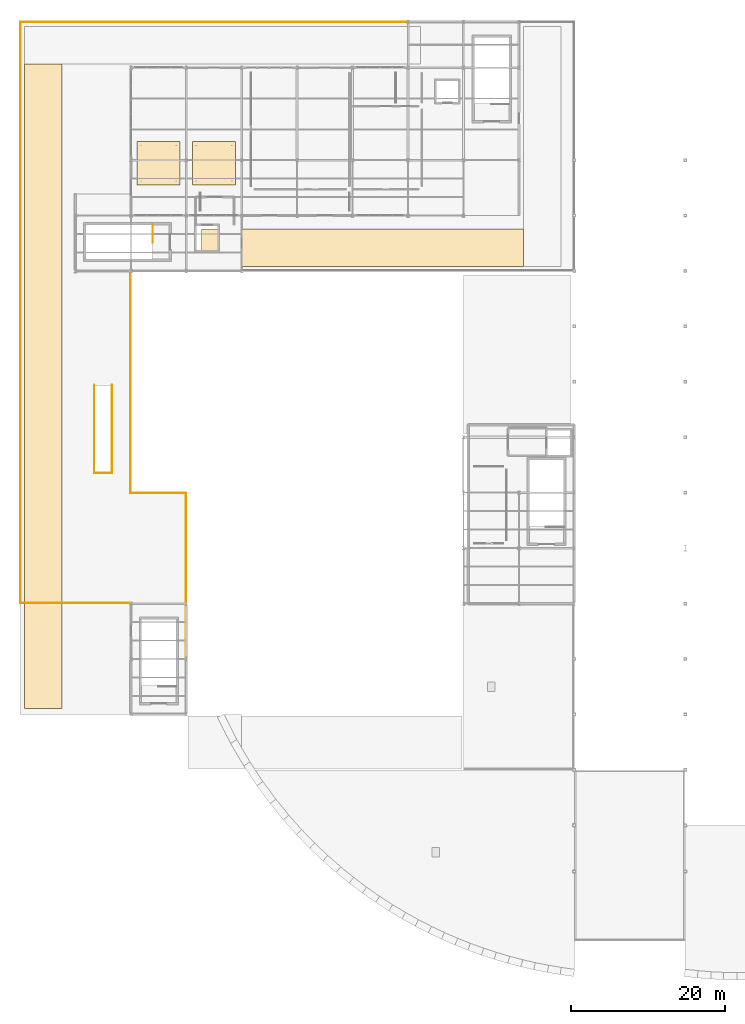
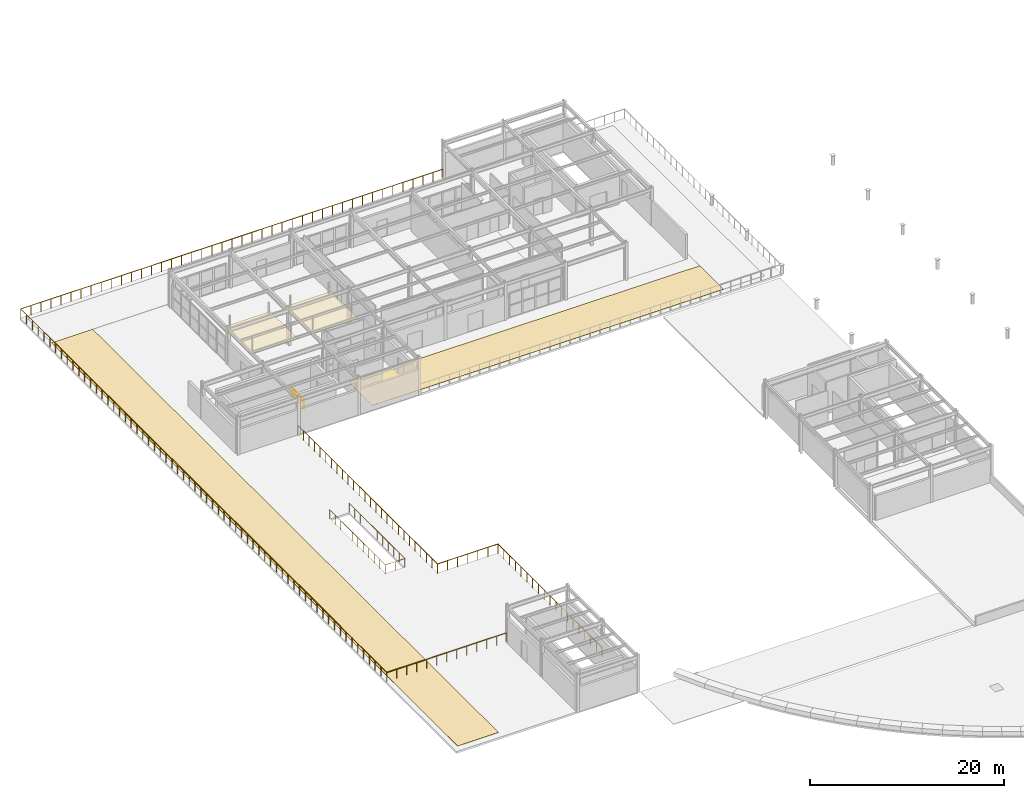
# One storey, part 40 of 41: 4 coverings, 4 railings.
"""IFC4 building model written with IfcOpenShell, lengths in metres."""

from ifc_helpers import new_model, si_unit, direction, frame, origin, origin_2d, place, context, subcontext, project, spatial, polyline, circle, outline, extrude, material, layer, layer_set, type_object, element, save


model = new_model("IFC4")

# Units and contexts
model_context = context("Model", 3, precision=1e-05, world=origin(), true_north=direction((0.0, 1.0)))
body_context = subcontext(model_context, "Body", "Model", "MODEL_VIEW")
ifc_project = project(units=[si_unit("LENGTHUNIT", "METRE"), si_unit("AREAUNIT", "SQUARE_METRE"), si_unit("VOLUMEUNIT", "CUBIC_METRE"), si_unit("PLANEANGLEUNIT", "RADIAN"), si_unit("MASSUNIT", "GRAM", prefix="KILO")], contexts=[model_context])

# Site, building, storey
site_placement = place(None, origin())
site = spatial("IfcSite", under=ifc_project, at=site_placement, CompositionType="ELEMENT")
building_placement = place(site_placement, origin())
building = spatial("IfcBuilding", under=site, at=building_placement, Name="Solvadek Multi-Sports Hall", CompositionType="ELEMENT")
storey_placement = place(building_placement, frame((0.0, 0.0, 14.39990234375)))
storey = spatial("IfcBuildingStorey", under=building, at=storey_placement, Name="L03", CompositionType="ELEMENT", Elevation=14.39990234375)

# Railings
ifc_material_1 = material(Name="Anodised aluminium", Category="aluminium")
railing_type_1 = type_object("IfcRailingType", Name="ENV-RAL-TRK120", PredefinedType="BALUSTRADE", material=ifc_material_1)
railing_1_placement = place(storey_placement, frame((50.340087890625, 110.340087890625, 0.0)))
element("IfcRailing", 1, at=railing_1_placement, inside=storey, type_object=railing_type_1, Name="Rooftop Running Track Perimeter Guard #1", PredefinedType="BALUSTRADE", context=body_context, shape_type="SweptSolid", body=[
    extrude(circle(Radius=0.02392578125, at=origin_2d()), frame((0.0, 0.0, 1.17578125), z_axis=(-1.0, 0.0, 0.0), x_axis=(0.0, -1.0, 0.0)), (0.0, 0.0, 1.0), 50.280029296875),
    extrude(circle(Radius=0.02392578125, at=origin_2d()), frame((-50.280029296875, 0.0, 1.17578125), z_axis=(0.0, -1.0, 0.0), x_axis=(1.0, 0.0, 0.0)), (0.0, 0.0, 1.0), 75.47998046875),
    extrude(circle(Radius=0.02392578125, at=origin_2d()), frame((-50.280029296875, -75.47998046875, 1.17578125), z_axis=(1.0, 0.0, 0.0), x_axis=(0.0, 1.0, 0.0)), (0.0, 0.0, 1.0), 14.280029296875),
    extrude(circle(Radius=0.02099609375, at=origin_2d()), origin(), (0.0, 0.0, 1.0), 1.15185546875),
    extrude(circle(Radius=0.02099609375, at=origin_2d()), frame((-1.197265625, 0.0, 0.0)), (0.0, 0.0, 1.0), 1.15185546875),
    extrude(circle(Radius=0.02099609375, at=origin_2d()), frame((-2.394287109375, 0.0, 0.0)), (0.0, 0.0, 1.0), 1.15185546875),
    extrude(circle(Radius=0.02099609375, at=origin_2d()), frame((-3.59130859375, 0.0, 0.0)), (0.0, 0.0, 1.0), 1.15185546875),
    extrude(circle(Radius=0.02099609375, at=origin_2d()), frame((-4.78857421875, 0.0, 0.0)), (0.0, 0.0, 1.0), 1.15185546875),
    extrude(circle(Radius=0.02099609375, at=origin_2d()), frame((-5.98583984375, 0.0, 0.0)), (0.0, 0.0, 1.0), 1.15185546875),
    extrude(circle(Radius=0.02099609375, at=origin_2d()), frame((-7.182861328125, 0.0, 0.0)), (0.0, 0.0, 1.0), 1.15185546875),
    extrude(circle(Radius=0.02099609375, at=origin_2d()), frame((-8.3798828125, 0.0, 0.0)), (0.0, 0.0, 1.0), 1.15185546875),
    extrude(circle(Radius=0.02099609375, at=origin_2d()), frame((-9.5771484375, 0.0, 0.0)), (0.0, 0.0, 1.0), 1.15185546875),
    extrude(circle(Radius=0.02099609375, at=origin_2d()), frame((-10.7744140625, 0.0, 0.0)), (0.0, 0.0, 1.0), 1.15185546875),
    extrude(circle(Radius=0.02099609375, at=origin_2d()), frame((-11.971435546875, 0.0, 0.0)), (0.0, 0.0, 1.0), 1.15185546875),
    extrude(circle(Radius=0.02099609375, at=origin_2d()), frame((-13.16845703125, 0.0, 0.0)), (0.0, 0.0, 1.0), 1.15185546875),
    extrude(circle(Radius=0.02099609375, at=origin_2d()), frame((-14.36572265625, 0.0, 0.0)), (0.0, 0.0, 1.0), 1.15185546875),
    extrude(circle(Radius=0.02099609375, at=origin_2d()), frame((-15.56298828125, 0.0, 0.0)), (0.0, 0.0, 1.0), 1.15185546875),
    extrude(circle(Radius=0.02099609375, at=origin_2d()), frame((-16.760009765625, 0.0, 0.0)), (0.0, 0.0, 1.0), 1.15185546875),
    extrude(circle(Radius=0.02099609375, at=origin_2d()), frame((-17.95703125, 0.0, 0.0)), (0.0, 0.0, 1.0), 1.15185546875),
    extrude(circle(Radius=0.02099609375, at=origin_2d()), frame((-19.154296875, 0.0, 0.0)), (0.0, 0.0, 1.0), 1.15185546875),
    extrude(circle(Radius=0.02099609375, at=origin_2d()), frame((-20.3515625, 0.0, 0.0)), (0.0, 0.0, 1.0), 1.15185546875),
    extrude(circle(Radius=0.02099609375, at=origin_2d()), frame((-21.548583984375, 0.0, 0.0)), (0.0, 0.0, 1.0), 1.15185546875),
    extrude(circle(Radius=0.02099609375, at=origin_2d()), frame((-22.74560546875, 0.0, 0.0)), (0.0, 0.0, 1.0), 1.15185546875),
    extrude(circle(Radius=0.02099609375, at=origin_2d()), frame((-23.94287109375, 0.0, 0.0)), (0.0, 0.0, 1.0), 1.15185546875),
    extrude(circle(Radius=0.02099609375, at=origin_2d()), frame((-25.14013671875, 0.0, 0.0)), (0.0, 0.0, 1.0), 1.15185546875),
    extrude(circle(Radius=0.02099609375, at=origin_2d()), frame((-26.337158203125, 0.0, 0.0)), (0.0, 0.0, 1.0), 1.15185546875),
    extrude(circle(Radius=0.02099609375, at=origin_2d()), frame((-27.534423828125, 0.0, 0.0)), (0.0, 0.0, 1.0), 1.15185546875),
    extrude(circle(Radius=0.02099609375, at=origin_2d()), frame((-28.7314453125, 0.0, 0.0)), (0.0, 0.0, 1.0), 1.15185546875),
    extrude(circle(Radius=0.02099609375, at=origin_2d()), frame((-29.9287109375, 0.0, 0.0)), (0.0, 0.0, 1.0), 1.15185546875),
    extrude(circle(Radius=0.02099609375, at=origin_2d()), frame((-31.125732421875, 0.0, 0.0)), (0.0, 0.0, 1.0), 1.15185546875),
    extrude(circle(Radius=0.02099609375, at=origin_2d()), frame((-32.32275390625, 0.0, 0.0)), (0.0, 0.0, 1.0), 1.15185546875),
    extrude(circle(Radius=0.02099609375, at=origin_2d()), frame((-33.52001953125, 0.0, 0.0)), (0.0, 0.0, 1.0), 1.15185546875),
    extrude(circle(Radius=0.02099609375, at=origin_2d()), frame((-34.71728515625, 0.0, 0.0)), (0.0, 0.0, 1.0), 1.15185546875),
    extrude(circle(Radius=0.02099609375, at=origin_2d()), frame((-35.914306640625, 0.0, 0.0)), (0.0, 0.0, 1.0), 1.15185546875),
    extrude(circle(Radius=0.02099609375, at=origin_2d()), frame((-37.111328125, 0.0, 0.0)), (0.0, 0.0, 1.0), 1.15185546875),
    extrude(circle(Radius=0.02099609375, at=origin_2d()), frame((-38.30859375, 0.0, 0.0)), (0.0, 0.0, 1.0), 1.15185546875),
    extrude(circle(Radius=0.02099609375, at=origin_2d()), frame((-39.505859375, 0.0, 0.0)), (0.0, 0.0, 1.0), 1.15185546875),
    extrude(circle(Radius=0.02099609375, at=origin_2d()), frame((-40.702880859375, 0.0, 0.0)), (0.0, 0.0, 1.0), 1.15185546875),
    extrude(circle(Radius=0.02099609375, at=origin_2d()), frame((-41.89990234375, 0.0, 0.0)), (0.0, 0.0, 1.0), 1.15185546875),
    extrude(circle(Radius=0.02099609375, at=origin_2d()), frame((-43.09716796875, 0.0, 0.0)), (0.0, 0.0, 1.0), 1.15185546875),
    extrude(circle(Radius=0.02099609375, at=origin_2d()), frame((-44.29443359375, 0.0, 0.0)), (0.0, 0.0, 1.0), 1.15185546875),
    extrude(circle(Radius=0.02099609375, at=origin_2d()), frame((-45.491455078125, 0.0, 0.0)), (0.0, 0.0, 1.0), 1.15185546875),
    extrude(circle(Radius=0.02099609375, at=origin_2d()), frame((-46.6884765625, 0.0, 0.0)), (0.0, 0.0, 1.0), 1.15185546875),
    extrude(circle(Radius=0.02099609375, at=origin_2d()), frame((-47.8857421875, 0.0, 0.0)), (0.0, 0.0, 1.0), 1.15185546875),
    extrude(circle(Radius=0.02099609375, at=origin_2d()), frame((-49.0830078125, 0.0, 0.0)), (0.0, 0.0, 1.0), 1.15185546875),
    extrude(circle(Radius=0.02099609375, at=origin_2d()), frame((-50.280029296875, 0.0, 0.0)), (0.0, 0.0, 1.0), 1.15185546875),
    extrude(circle(Radius=0.02099609375, at=origin_2d()), frame((-50.280029296875, -1.197998046875, 0.0)), (0.0, 0.0, 1.0), 1.15185546875),
    extrude(circle(Radius=0.02099609375, at=origin_2d()), frame((-50.280029296875, -2.396240234375, 0.0)), (0.0, 0.0, 1.0), 1.15185546875),
    extrude(circle(Radius=0.02099609375, at=origin_2d()), frame((-50.280029296875, -3.59423828125, 0.0)), (0.0, 0.0, 1.0), 1.15185546875),
    extrude(circle(Radius=0.02099609375, at=origin_2d()), frame((-50.280029296875, -4.79248046875, 0.0)), (0.0, 0.0, 1.0), 1.15185546875),
    extrude(circle(Radius=0.02099609375, at=origin_2d()), frame((-50.280029296875, -5.990478515625, 0.0)), (0.0, 0.0, 1.0), 1.15185546875),
    extrude(circle(Radius=0.02099609375, at=origin_2d()), frame((-50.280029296875, -7.1884765625, 0.0)), (0.0, 0.0, 1.0), 1.15185546875),
    extrude(circle(Radius=0.02099609375, at=origin_2d()), frame((-50.280029296875, -8.38671875, 0.0)), (0.0, 0.0, 1.0), 1.15185546875),
    extrude(circle(Radius=0.02099609375, at=origin_2d()), frame((-50.280029296875, -9.584716796875, 0.0)), (0.0, 0.0, 1.0), 1.15185546875),
    extrude(circle(Radius=0.02099609375, at=origin_2d()), frame((-50.280029296875, -10.782958984375, 0.0)), (0.0, 0.0, 1.0), 1.15185546875),
    extrude(circle(Radius=0.02099609375, at=origin_2d()), frame((-50.280029296875, -11.98095703125, 0.0)), (0.0, 0.0, 1.0), 1.15185546875),
    extrude(circle(Radius=0.02099609375, at=origin_2d()), frame((-50.280029296875, -13.178955078125, 0.0)), (0.0, 0.0, 1.0), 1.15185546875),
    extrude(circle(Radius=0.02099609375, at=origin_2d()), frame((-50.280029296875, -14.377197265625, 0.0)), (0.0, 0.0, 1.0), 1.15185546875),
    extrude(circle(Radius=0.02099609375, at=origin_2d()), frame((-50.280029296875, -15.5751953125, 0.0)), (0.0, 0.0, 1.0), 1.15185546875),
    extrude(circle(Radius=0.02099609375, at=origin_2d()), frame((-50.280029296875, -16.7734375, 0.0)), (0.0, 0.0, 1.0), 1.15185546875),
    extrude(circle(Radius=0.02099609375, at=origin_2d()), frame((-50.280029296875, -17.971435546875, 0.0)), (0.0, 0.0, 1.0), 1.15185546875),
    extrude(circle(Radius=0.02099609375, at=origin_2d()), frame((-50.280029296875, -19.16943359375, 0.0)), (0.0, 0.0, 1.0), 1.15185546875),
    extrude(circle(Radius=0.02099609375, at=origin_2d()), frame((-50.280029296875, -20.36767578125, 0.0)), (0.0, 0.0, 1.0), 1.15185546875),
    extrude(circle(Radius=0.02099609375, at=origin_2d()), frame((-50.280029296875, -21.565673828125, 0.0)), (0.0, 0.0, 1.0), 1.15185546875),
    extrude(circle(Radius=0.02099609375, at=origin_2d()), frame((-50.280029296875, -22.763916015625, 0.0)), (0.0, 0.0, 1.0), 1.15185546875),
    extrude(circle(Radius=0.02099609375, at=origin_2d()), frame((-50.280029296875, -23.9619140625, 0.0)), (0.0, 0.0, 1.0), 1.15185546875),
    extrude(circle(Radius=0.02099609375, at=origin_2d()), frame((-50.280029296875, -25.159912109375, 0.0)), (0.0, 0.0, 1.0), 1.15185546875),
    extrude(circle(Radius=0.02099609375, at=origin_2d()), frame((-50.280029296875, -26.358154296875, 0.0)), (0.0, 0.0, 1.0), 1.15185546875),
    extrude(circle(Radius=0.02099609375, at=origin_2d()), frame((-50.280029296875, -27.55615234375, 0.0)), (0.0, 0.0, 1.0), 1.15185546875),
    extrude(circle(Radius=0.02099609375, at=origin_2d()), frame((-50.280029296875, -28.75439453125, 0.0)), (0.0, 0.0, 1.0), 1.15185546875),
    extrude(circle(Radius=0.02099609375, at=origin_2d()), frame((-50.280029296875, -29.952392578125, 0.0)), (0.0, 0.0, 1.0), 1.15185546875),
    extrude(circle(Radius=0.02099609375, at=origin_2d()), frame((-50.280029296875, -31.150390625, 0.0)), (0.0, 0.0, 1.0), 1.15185546875),
    extrude(circle(Radius=0.02099609375, at=origin_2d()), frame((-50.280029296875, -32.3486328125, 0.0)), (0.0, 0.0, 1.0), 1.15185546875),
    extrude(circle(Radius=0.02099609375, at=origin_2d()), frame((-50.280029296875, -33.546630859375, 0.0)), (0.0, 0.0, 1.0), 1.15185546875),
    extrude(circle(Radius=0.02099609375, at=origin_2d()), frame((-50.280029296875, -34.744873046875, 0.0)), (0.0, 0.0, 1.0), 1.15185546875),
    extrude(circle(Radius=0.02099609375, at=origin_2d()), frame((-50.280029296875, -35.94287109375, 0.0)), (0.0, 0.0, 1.0), 1.15185546875),
    extrude(circle(Radius=0.02099609375, at=origin_2d()), frame((-50.280029296875, -37.140869140625, 0.0)), (0.0, 0.0, 1.0), 1.15185546875),
    extrude(circle(Radius=0.02099609375, at=origin_2d()), frame((-50.280029296875, -38.339111328125, 0.0)), (0.0, 0.0, 1.0), 1.15185546875),
    extrude(circle(Radius=0.02099609375, at=origin_2d()), frame((-50.280029296875, -39.537109375, 0.0)), (0.0, 0.0, 1.0), 1.15185546875),
    extrude(circle(Radius=0.02099609375, at=origin_2d()), frame((-50.280029296875, -40.735107421875, 0.0)), (0.0, 0.0, 1.0), 1.15185546875),
    extrude(circle(Radius=0.02099609375, at=origin_2d()), frame((-50.280029296875, -41.933349609375, 0.0)), (0.0, 0.0, 1.0), 1.15185546875),
    extrude(circle(Radius=0.02099609375, at=origin_2d()), frame((-50.280029296875, -43.13134765625, 0.0)), (0.0, 0.0, 1.0), 1.15185546875),
    extrude(circle(Radius=0.02099609375, at=origin_2d()), frame((-50.280029296875, -44.32958984375, 0.0)), (0.0, 0.0, 1.0), 1.15185546875),
    extrude(circle(Radius=0.02099609375, at=origin_2d()), frame((-50.280029296875, -45.527587890625, 0.0)), (0.0, 0.0, 1.0), 1.15185546875),
    extrude(circle(Radius=0.02099609375, at=origin_2d()), frame((-50.280029296875, -46.7255859375, 0.0)), (0.0, 0.0, 1.0), 1.15185546875),
    extrude(circle(Radius=0.02099609375, at=origin_2d()), frame((-50.280029296875, -47.923828125, 0.0)), (0.0, 0.0, 1.0), 1.15185546875),
    extrude(circle(Radius=0.02099609375, at=origin_2d()), frame((-50.280029296875, -49.121826171875, 0.0)), (0.0, 0.0, 1.0), 1.15185546875),
    extrude(circle(Radius=0.02099609375, at=origin_2d()), frame((-50.280029296875, -50.320068359375, 0.0)), (0.0, 0.0, 1.0), 1.15185546875),
    extrude(circle(Radius=0.02099609375, at=origin_2d()), frame((-50.280029296875, -51.51806640625, 0.0)), (0.0, 0.0, 1.0), 1.15185546875),
    extrude(circle(Radius=0.02099609375, at=origin_2d()), frame((-50.280029296875, -52.716064453125, 0.0)), (0.0, 0.0, 1.0), 1.15185546875),
    extrude(circle(Radius=0.02099609375, at=origin_2d()), frame((-50.280029296875, -53.914306640625, 0.0)), (0.0, 0.0, 1.0), 1.15185546875),
    extrude(circle(Radius=0.02099609375, at=origin_2d()), frame((-50.280029296875, -55.1123046875, 0.0)), (0.0, 0.0, 1.0), 1.15185546875),
    extrude(circle(Radius=0.02099609375, at=origin_2d()), frame((-50.280029296875, -56.310546875, 0.0)), (0.0, 0.0, 1.0), 1.15185546875),
    extrude(circle(Radius=0.02099609375, at=origin_2d()), frame((-50.280029296875, -57.508544921875, 0.0)), (0.0, 0.0, 1.0), 1.15185546875),
    extrude(circle(Radius=0.02099609375, at=origin_2d()), frame((-50.280029296875, -58.70654296875, 0.0)), (0.0, 0.0, 1.0), 1.15185546875),
    extrude(circle(Radius=0.02099609375, at=origin_2d()), frame((-50.280029296875, -59.90478515625, 0.0)), (0.0, 0.0, 1.0), 1.15185546875),
    extrude(circle(Radius=0.02099609375, at=origin_2d()), frame((-50.280029296875, -61.102783203125, 0.0)), (0.0, 0.0, 1.0), 1.15185546875),
    extrude(circle(Radius=0.02099609375, at=origin_2d()), frame((-50.280029296875, -62.301025390625, 0.0)), (0.0, 0.0, 1.0), 1.15185546875),
    extrude(circle(Radius=0.02099609375, at=origin_2d()), frame((-50.280029296875, -63.4990234375, 0.0)), (0.0, 0.0, 1.0), 1.15185546875),
    extrude(circle(Radius=0.02099609375, at=origin_2d()), frame((-50.280029296875, -64.697021484375, 0.0)), (0.0, 0.0, 1.0), 1.15185546875),
    extrude(circle(Radius=0.02099609375, at=origin_2d()), frame((-50.280029296875, -65.895263671875, 0.0)), (0.0, 0.0, 1.0), 1.15185546875),
    extrude(circle(Radius=0.02099609375, at=origin_2d()), frame((-50.280029296875, -67.09326171875, 0.0)), (0.0, 0.0, 1.0), 1.15185546875),
    extrude(circle(Radius=0.02099609375, at=origin_2d()), frame((-50.280029296875, -68.29150390625, 0.0)), (0.0, 0.0, 1.0), 1.15185546875),
    extrude(circle(Radius=0.02099609375, at=origin_2d()), frame((-50.280029296875, -69.489501953125, 0.0)), (0.0, 0.0, 1.0), 1.15185546875),
    extrude(circle(Radius=0.02099609375, at=origin_2d()), frame((-50.280029296875, -70.6875, 0.0)), (0.0, 0.0, 1.0), 1.15185546875),
    extrude(circle(Radius=0.02099609375, at=origin_2d()), frame((-50.280029296875, -71.8857421875, 0.0)), (0.0, 0.0, 1.0), 1.15185546875),
    extrude(circle(Radius=0.02099609375, at=origin_2d()), frame((-50.280029296875, -73.083740234375, 0.0)), (0.0, 0.0, 1.0), 1.15185546875),
    extrude(circle(Radius=0.02099609375, at=origin_2d()), frame((-50.280029296875, -74.281982421875, 0.0)), (0.0, 0.0, 1.0), 1.15185546875),
    extrude(circle(Radius=0.02099609375, at=origin_2d()), frame((-50.280029296875, -75.47998046875, 0.0)), (0.0, 0.0, 1.0), 1.15185546875),
    extrude(circle(Radius=0.02099609375, at=origin_2d()), frame((-49.090087890625, -75.47998046875, 0.0)), (0.0, 0.0, 1.0), 1.15185546875),
    extrude(circle(Radius=0.02099609375, at=origin_2d()), frame((-47.89990234375, -75.47998046875, 0.0)), (0.0, 0.0, 1.0), 1.15185546875),
    extrude(circle(Radius=0.02099609375, at=origin_2d()), frame((-46.7099609375, -75.47998046875, 0.0)), (0.0, 0.0, 1.0), 1.15185546875),
    extrude(circle(Radius=0.02099609375, at=origin_2d()), frame((-45.52001953125, -75.47998046875, 0.0)), (0.0, 0.0, 1.0), 1.15185546875),
    extrude(circle(Radius=0.02099609375, at=origin_2d()), frame((-44.330078125, -75.47998046875, 0.0)), (0.0, 0.0, 1.0), 1.15185546875),
    extrude(circle(Radius=0.02099609375, at=origin_2d()), frame((-43.14013671875, -75.47998046875, 0.0)), (0.0, 0.0, 1.0), 1.15185546875),
    extrude(circle(Radius=0.02099609375, at=origin_2d()), frame((-41.949951171875, -75.47998046875, 0.0)), (0.0, 0.0, 1.0), 1.15185546875),
    extrude(circle(Radius=0.02099609375, at=origin_2d()), frame((-40.760009765625, -75.47998046875, 0.0)), (0.0, 0.0, 1.0), 1.15185546875),
    extrude(circle(Radius=0.02099609375, at=origin_2d()), frame((-39.570068359375, -75.47998046875, 0.0)), (0.0, 0.0, 1.0), 1.15185546875),
    extrude(circle(Radius=0.02099609375, at=origin_2d()), frame((-38.3798828125, -75.47998046875, 0.0)), (0.0, 0.0, 1.0), 1.15185546875),
    extrude(circle(Radius=0.02099609375, at=origin_2d()), frame((-37.18994140625, -75.47998046875, 0.0)), (0.0, 0.0, 1.0), 1.15185546875),
    extrude(circle(Radius=0.02099609375, at=origin_2d()), frame((-36.0, -75.47998046875, 0.0)), (0.0, 0.0, 1.0), 1.15185546875),
])
railing_2_placement = place(storey_placement, frame((21.5400390625, 27.659912109375, 0.0)))
element("IfcRailing", 2, at=railing_2_placement, inside=storey, type_object=railing_type_1, Name="Rooftop Running Track Perimeter Guard #3", PredefinedType="BALUSTRADE", context=body_context, shape_type="SweptSolid", body=[
    extrude(circle(Radius=0.02392578125, at=origin_2d()), frame((0.0, 0.0, 1.17578125), z_axis=(0.0, 1.0, 0.0), x_axis=(-1.0, 0.0, 0.0)), (0.0, 0.0, 1.0), 21.47998046875),
    extrude(circle(Radius=0.02392578125, at=origin_2d()), frame((0.0, 21.47998046875, 1.17578125), z_axis=(-1.0, 0.0, 0.0), x_axis=(0.0, -1.0, 0.0)), (0.0, 0.0, 1.0), 7.199951171875),
    extrude(circle(Radius=0.02392578125, at=origin_2d()), frame((-7.199951171875, 21.47998046875, 1.17578125), z_axis=(0.0, 1.0, 0.0), x_axis=(-1.0, 0.0, 0.0)), (0.0, 0.0, 1.0), 28.800048828125),
    extrude(circle(Radius=0.02099609375, at=origin_2d()), origin(), (0.0, 0.0, 1.0), 1.15185546875),
    extrude(circle(Radius=0.02099609375, at=origin_2d()), frame((0.0, 1.193359375, 0.0)), (0.0, 0.0, 1.0), 1.15185546875),
    extrude(circle(Radius=0.02099609375, at=origin_2d()), frame((0.0, 2.38671875, 0.0)), (0.0, 0.0, 1.0), 1.15185546875),
    extrude(circle(Radius=0.02099609375, at=origin_2d()), frame((0.0, 3.580078125, 0.0)), (0.0, 0.0, 1.0), 1.15185546875),
    extrude(circle(Radius=0.02099609375, at=origin_2d()), frame((0.0, 4.7734375, 0.0)), (0.0, 0.0, 1.0), 1.15185546875),
    extrude(circle(Radius=0.02099609375, at=origin_2d()), frame((0.0, 5.966552734375, 0.0)), (0.0, 0.0, 1.0), 1.15185546875),
    extrude(circle(Radius=0.02099609375, at=origin_2d()), frame((0.0, 7.159912109375, 0.0)), (0.0, 0.0, 1.0), 1.15185546875),
    extrude(circle(Radius=0.02099609375, at=origin_2d()), frame((0.0, 8.353271484375, 0.0)), (0.0, 0.0, 1.0), 1.15185546875),
    extrude(circle(Radius=0.02099609375, at=origin_2d()), frame((0.0, 9.546630859375, 0.0)), (0.0, 0.0, 1.0), 1.15185546875),
    extrude(circle(Radius=0.02099609375, at=origin_2d()), frame((0.0, 10.739990234375, 0.0)), (0.0, 0.0, 1.0), 1.15185546875),
    extrude(circle(Radius=0.02099609375, at=origin_2d()), frame((0.0, 11.933349609375, 0.0)), (0.0, 0.0, 1.0), 1.15185546875),
    extrude(circle(Radius=0.02099609375, at=origin_2d()), frame((0.0, 13.126708984375, 0.0)), (0.0, 0.0, 1.0), 1.15185546875),
    extrude(circle(Radius=0.02099609375, at=origin_2d()), frame((0.0, 14.320068359375, 0.0)), (0.0, 0.0, 1.0), 1.15185546875),
    extrude(circle(Radius=0.02099609375, at=origin_2d()), frame((0.0, 15.513427734375, 0.0)), (0.0, 0.0, 1.0), 1.15185546875),
    extrude(circle(Radius=0.02099609375, at=origin_2d()), frame((0.0, 16.70654296875, 0.0)), (0.0, 0.0, 1.0), 1.15185546875),
    extrude(circle(Radius=0.02099609375, at=origin_2d()), frame((0.0, 17.89990234375, 0.0)), (0.0, 0.0, 1.0), 1.15185546875),
    extrude(circle(Radius=0.02099609375, at=origin_2d()), frame((0.0, 19.09326171875, 0.0)), (0.0, 0.0, 1.0), 1.15185546875),
    extrude(circle(Radius=0.02099609375, at=origin_2d()), frame((0.0, 20.28662109375, 0.0)), (0.0, 0.0, 1.0), 1.15185546875),
    extrude(circle(Radius=0.02099609375, at=origin_2d()), frame((0.0, 21.47998046875, 0.0)), (0.0, 0.0, 1.0), 1.15185546875),
    extrude(circle(Radius=0.02099609375, at=origin_2d()), frame((-1.199951171875, 21.47998046875, 0.0)), (0.0, 0.0, 1.0), 1.15185546875),
    extrude(circle(Radius=0.02099609375, at=origin_2d()), frame((-2.39990234375, 21.47998046875, 0.0)), (0.0, 0.0, 1.0), 1.15185546875),
    extrude(circle(Radius=0.02099609375, at=origin_2d()), frame((-3.60009765625, 21.47998046875, 0.0)), (0.0, 0.0, 1.0), 1.15185546875),
    extrude(circle(Radius=0.02099609375, at=origin_2d()), frame((-4.800048828125, 21.47998046875, 0.0)), (0.0, 0.0, 1.0), 1.15185546875),
    extrude(circle(Radius=0.02099609375, at=origin_2d()), frame((-6.0, 21.47998046875, 0.0)), (0.0, 0.0, 1.0), 1.15185546875),
    extrude(circle(Radius=0.02099609375, at=origin_2d()), frame((-7.199951171875, 21.47998046875, 0.0)), (0.0, 0.0, 1.0), 1.15185546875),
    extrude(circle(Radius=0.02099609375, at=origin_2d()), frame((-7.199951171875, 22.632080078125, 0.0)), (0.0, 0.0, 1.0), 1.15185546875),
    extrude(circle(Radius=0.02099609375, at=origin_2d()), frame((-7.199951171875, 23.783935546875, 0.0)), (0.0, 0.0, 1.0), 1.15185546875),
    extrude(circle(Radius=0.02099609375, at=origin_2d()), frame((-7.199951171875, 24.93603515625, 0.0)), (0.0, 0.0, 1.0), 1.15185546875),
    extrude(circle(Radius=0.02099609375, at=origin_2d()), frame((-7.199951171875, 26.087890625, 0.0)), (0.0, 0.0, 1.0), 1.15185546875),
    extrude(circle(Radius=0.02099609375, at=origin_2d()), frame((-7.199951171875, 27.239990234375, 0.0)), (0.0, 0.0, 1.0), 1.15185546875),
    extrude(circle(Radius=0.02099609375, at=origin_2d()), frame((-7.199951171875, 28.39208984375, 0.0)), (0.0, 0.0, 1.0), 1.15185546875),
    extrude(circle(Radius=0.02099609375, at=origin_2d()), frame((-7.199951171875, 29.5439453125, 0.0)), (0.0, 0.0, 1.0), 1.15185546875),
    extrude(circle(Radius=0.02099609375, at=origin_2d()), frame((-7.199951171875, 30.696044921875, 0.0)), (0.0, 0.0, 1.0), 1.15185546875),
    extrude(circle(Radius=0.02099609375, at=origin_2d()), frame((-7.199951171875, 31.847900390625, 0.0)), (0.0, 0.0, 1.0), 1.15185546875),
    extrude(circle(Radius=0.02099609375, at=origin_2d()), frame((-7.199951171875, 33.0, 0.0)), (0.0, 0.0, 1.0), 1.15185546875),
    extrude(circle(Radius=0.02099609375, at=origin_2d()), frame((-7.199951171875, 34.152099609375, 0.0)), (0.0, 0.0, 1.0), 1.15185546875),
    extrude(circle(Radius=0.02099609375, at=origin_2d()), frame((-7.199951171875, 35.303955078125, 0.0)), (0.0, 0.0, 1.0), 1.15185546875),
    extrude(circle(Radius=0.02099609375, at=origin_2d()), frame((-7.199951171875, 36.4560546875, 0.0)), (0.0, 0.0, 1.0), 1.15185546875),
    extrude(circle(Radius=0.02099609375, at=origin_2d()), frame((-7.199951171875, 37.60791015625, 0.0)), (0.0, 0.0, 1.0), 1.15185546875),
    extrude(circle(Radius=0.02099609375, at=origin_2d()), frame((-7.199951171875, 38.760009765625, 0.0)), (0.0, 0.0, 1.0), 1.15185546875),
    extrude(circle(Radius=0.02099609375, at=origin_2d()), frame((-7.199951171875, 39.912109375, 0.0)), (0.0, 0.0, 1.0), 1.15185546875),
    extrude(circle(Radius=0.02099609375, at=origin_2d()), frame((-7.199951171875, 41.06396484375, 0.0)), (0.0, 0.0, 1.0), 1.15185546875),
    extrude(circle(Radius=0.02099609375, at=origin_2d()), frame((-7.199951171875, 42.216064453125, 0.0)), (0.0, 0.0, 1.0), 1.15185546875),
    extrude(circle(Radius=0.02099609375, at=origin_2d()), frame((-7.199951171875, 43.367919921875, 0.0)), (0.0, 0.0, 1.0), 1.15185546875),
    extrude(circle(Radius=0.02099609375, at=origin_2d()), frame((-7.199951171875, 44.52001953125, 0.0)), (0.0, 0.0, 1.0), 1.15185546875),
    extrude(circle(Radius=0.02099609375, at=origin_2d()), frame((-7.199951171875, 45.672119140625, 0.0)), (0.0, 0.0, 1.0), 1.15185546875),
    extrude(circle(Radius=0.02099609375, at=origin_2d()), frame((-7.199951171875, 46.823974609375, 0.0)), (0.0, 0.0, 1.0), 1.15185546875),
    extrude(circle(Radius=0.02099609375, at=origin_2d()), frame((-7.199951171875, 47.97607421875, 0.0)), (0.0, 0.0, 1.0), 1.15185546875),
    extrude(circle(Radius=0.02099609375, at=origin_2d()), frame((-7.199951171875, 49.1279296875, 0.0)), (0.0, 0.0, 1.0), 1.15185546875),
    extrude(circle(Radius=0.02099609375, at=origin_2d()), frame((-7.199951171875, 50.280029296875, 0.0)), (0.0, 0.0, 1.0), 1.15185546875),
])

# Coverings
ifc_material_2 = material(Name="Acoustic mineral-wool ceiling tile")
ifc_layer_1 = layer(ifc_material_2, 0.02490234375, Name="Acoustic mineral-wool ceiling tile")
ifc_layer_set_1 = layer_set([ifc_layer_1], Name="Acoustic mineral-wool ceiling tile")
covering_type_1 = type_object("IfcCoveringType", Name="INT-COV-CEIL", PredefinedType="CEILING", material=ifc_layer_set_1)
covering_1_placement = place(storey_placement, frame((0.0, 0.0, 3.0)))
element("IfcCovering", 3, at=covering_1_placement, inside=storey, type_object=covering_type_1, Name="L03 Acoustic Suspended Ceiling Raft #7", PredefinedType="CEILING", context=body_context, shape_type="SweptSolid", body=[
    extrude(outline(polyline([(15.199951171875, 89.199951171875), (20.800048828125, 89.199951171875), (20.800048828125, 94.800048828125), (15.199951171875, 94.800048828125), (15.199951171875, 89.199951171875)])), origin(), (0.0, 0.0, 1.0), 0.025146484375),
])
covering_2_placement = place(storey_placement, frame((0.0, 0.0, 3.0)))
element("IfcCovering", 4, at=covering_2_placement, inside=storey, type_object=covering_type_1, Name="L03 Acoustic Suspended Ceiling Raft #8", PredefinedType="CEILING", context=body_context, shape_type="SweptSolid", body=[
    extrude(outline(polyline([(22.39990234375, 89.199951171875), (28.0, 89.199951171875), (28.0, 94.800048828125), (22.39990234375, 94.800048828125), (22.39990234375, 89.199951171875)])), origin(), (0.0, 0.0, 1.0), 0.025146484375),
])
ifc_material_3 = material(Name="Polyurethane EPDM track surfacing")
ifc_layer_2 = layer(ifc_material_3, 0.01806640625, Name="Polyurethane EPDM track surfacing")
ifc_layer_set_2 = layer_set([ifc_layer_2], Name="Polyurethane EPDM track surfacing")
covering_type_2 = type_object("IfcCoveringType", Name="INT-COV-TRACK", PredefinedType="FLOORING", material=ifc_layer_set_2)
covering_3_placement = place(storey_placement, origin())
element("IfcCovering", 5, at=covering_3_placement, inside=storey, type_object=covering_type_2, Name="Rooftop 4-Lane EPDM Track South Straight", PredefinedType="FLOORING", context=body_context, shape_type="SweptSolid", body=[
    extrude(outline(polyline([(23.60009765625, 78.60009765625), (65.39990234375, 78.60009765625), (65.39990234375, 83.47998046875), (23.60009765625, 83.47998046875), (23.60009765625, 78.60009765625)])), origin(), (0.0, 0.0, 1.0), 0.01806640625),
])
covering_4_placement = place(storey_placement, origin())
element("IfcCovering", 6, at=covering_4_placement, inside=storey, type_object=covering_type_2, Name="Rooftop 4-Lane EPDM Track West Straight", PredefinedType="FLOORING", context=body_context, shape_type="SweptSolid", body=[
    extrude(outline(polyline([(0.60009765625, 21.199951171875), (5.47998046875, 21.199951171875), (5.47998046875, 104.89990234375), (0.60009765625, 104.89990234375), (0.60009765625, 21.199951171875)])), origin(), (0.0, 0.0, 1.0), 0.01806640625),
])

# Railings
ifc_material_4 = material(Name="Steel E250 (250 MPa)", Category="steel")
railing_type_2 = type_object("IfcRailingType", Name="INT-RAL-GRD115", PredefinedType="BALUSTRADE", material=ifc_material_4)
railing_3_placement = place(storey_placement, frame((17.25, 84.050048828125, 0.0)))
element("IfcRailing", 7, at=railing_3_placement, inside=storey, type_object=railing_type_2, Name="L03 ST-02 top well guard 1", PredefinedType="BALUSTRADE", context=body_context, shape_type="SweptSolid", body=[
    extrude(circle(Radius=0.02392578125, at=origin_2d()), frame((0.0, 0.0, 1.076171875), z_axis=(0.0, -1.0, 0.0), x_axis=(1.0, 0.0, 0.0)), (0.0, 0.0, 1.0), 2.35009765625),
    extrude(circle(Radius=0.02099609375, at=origin_2d()), origin(), (0.0, 0.0, 1.0), 1.052001953125),
    extrude(circle(Radius=0.02099609375, at=origin_2d()), frame((0.0, -1.175048828125, 0.0)), (0.0, 0.0, 1.0), 1.052001953125),
    extrude(circle(Radius=0.02099609375, at=origin_2d()), frame((0.0, -2.35009765625, 0.0)), (0.0, 0.0, 1.0), 1.052001953125),
])
railing_4_placement = place(storey_placement, frame((9.639892578125, 63.199951171875, 0.0)))
element("IfcRailing", 8, at=railing_4_placement, inside=storey, type_object=railing_type_2, Name="L03 Void Edge Balustrade Guard #38", PredefinedType="BALUSTRADE", context=body_context, shape_type="SweptSolid", body=[
    extrude(circle(Radius=0.02392578125, at=origin_2d()), frame((0.0, 0.0, 1.1259765625), z_axis=(0.0, -1.0, 0.0), x_axis=(1.0, 0.0, 0.0)), (0.0, 0.0, 1.0), 11.4599609375),
    extrude(circle(Radius=0.02392578125, at=origin_2d()), frame((0.0, -11.4599609375, 1.1259765625), z_axis=(1.0, 0.0, 0.0), x_axis=(0.0, 1.0, 0.0)), (0.0, 0.0, 1.0), 2.320068359375),
    extrude(circle(Radius=0.02392578125, at=origin_2d()), frame((2.320068359375, -11.4599609375, 1.1259765625), z_axis=(0.0, 1.0, 0.0), x_axis=(-1.0, 0.0, 0.0)), (0.0, 0.0, 1.0), 11.4599609375),
    extrude(circle(Radius=0.02099609375, at=origin_2d()), origin(), (0.0, 0.0, 1.0), 1.101806640625),
    extrude(circle(Radius=0.02099609375, at=origin_2d()), frame((0.0, -1.14599609375, 0.0)), (0.0, 0.0, 1.0), 1.101806640625),
    extrude(circle(Radius=0.02099609375, at=origin_2d()), frame((0.0, -2.2919921875, 0.0)), (0.0, 0.0, 1.0), 1.101806640625),
    extrude(circle(Radius=0.02099609375, at=origin_2d()), frame((0.0, -3.43798828125, 0.0)), (0.0, 0.0, 1.0), 1.101806640625),
    extrude(circle(Radius=0.02099609375, at=origin_2d()), frame((0.0, -4.583984375, 0.0)), (0.0, 0.0, 1.0), 1.101806640625),
    extrude(circle(Radius=0.02099609375, at=origin_2d()), frame((0.0, -5.72998046875, 0.0)), (0.0, 0.0, 1.0), 1.101806640625),
    extrude(circle(Radius=0.02099609375, at=origin_2d()), frame((0.0, -6.8759765625, 0.0)), (0.0, 0.0, 1.0), 1.101806640625),
    extrude(circle(Radius=0.02099609375, at=origin_2d()), frame((0.0, -8.02197265625, 0.0)), (0.0, 0.0, 1.0), 1.101806640625),
    extrude(circle(Radius=0.02099609375, at=origin_2d()), frame((0.0, -9.16796875, 0.0)), (0.0, 0.0, 1.0), 1.101806640625),
    extrude(circle(Radius=0.02099609375, at=origin_2d()), frame((0.0, -10.31396484375, 0.0)), (0.0, 0.0, 1.0), 1.101806640625),
    extrude(circle(Radius=0.02099609375, at=origin_2d()), frame((0.0, -11.4599609375, 0.0)), (0.0, 0.0, 1.0), 1.101806640625),
    extrude(circle(Radius=0.02099609375, at=origin_2d()), frame((1.16015625, -11.4599609375, 0.0)), (0.0, 0.0, 1.0), 1.101806640625),
    extrude(circle(Radius=0.02099609375, at=origin_2d()), frame((2.320068359375, -11.4599609375, 0.0)), (0.0, 0.0, 1.0), 1.101806640625),
    extrude(circle(Radius=0.02099609375, at=origin_2d()), frame((2.320068359375, -10.31396484375, 0.0)), (0.0, 0.0, 1.0), 1.101806640625),
    extrude(circle(Radius=0.02099609375, at=origin_2d()), frame((2.320068359375, -9.16796875, 0.0)), (0.0, 0.0, 1.0), 1.101806640625),
    extrude(circle(Radius=0.02099609375, at=origin_2d()), frame((2.320068359375, -8.02197265625, 0.0)), (0.0, 0.0, 1.0), 1.101806640625),
    extrude(circle(Radius=0.02099609375, at=origin_2d()), frame((2.320068359375, -6.8759765625, 0.0)), (0.0, 0.0, 1.0), 1.101806640625),
    extrude(circle(Radius=0.02099609375, at=origin_2d()), frame((2.320068359375, -5.72998046875, 0.0)), (0.0, 0.0, 1.0), 1.101806640625),
    extrude(circle(Radius=0.02099609375, at=origin_2d()), frame((2.320068359375, -4.583984375, 0.0)), (0.0, 0.0, 1.0), 1.101806640625),
    extrude(circle(Radius=0.02099609375, at=origin_2d()), frame((2.320068359375, -3.43798828125, 0.0)), (0.0, 0.0, 1.0), 1.101806640625),
    extrude(circle(Radius=0.02099609375, at=origin_2d()), frame((2.320068359375, -2.2919921875, 0.0)), (0.0, 0.0, 1.0), 1.101806640625),
    extrude(circle(Radius=0.02099609375, at=origin_2d()), frame((2.320068359375, -1.14599609375, 0.0)), (0.0, 0.0, 1.0), 1.101806640625),
    extrude(circle(Radius=0.02099609375, at=origin_2d()), frame((2.320068359375, 0.0, 0.0)), (0.0, 0.0, 1.0), 1.101806640625),
])

save(model, "model.ifc")
